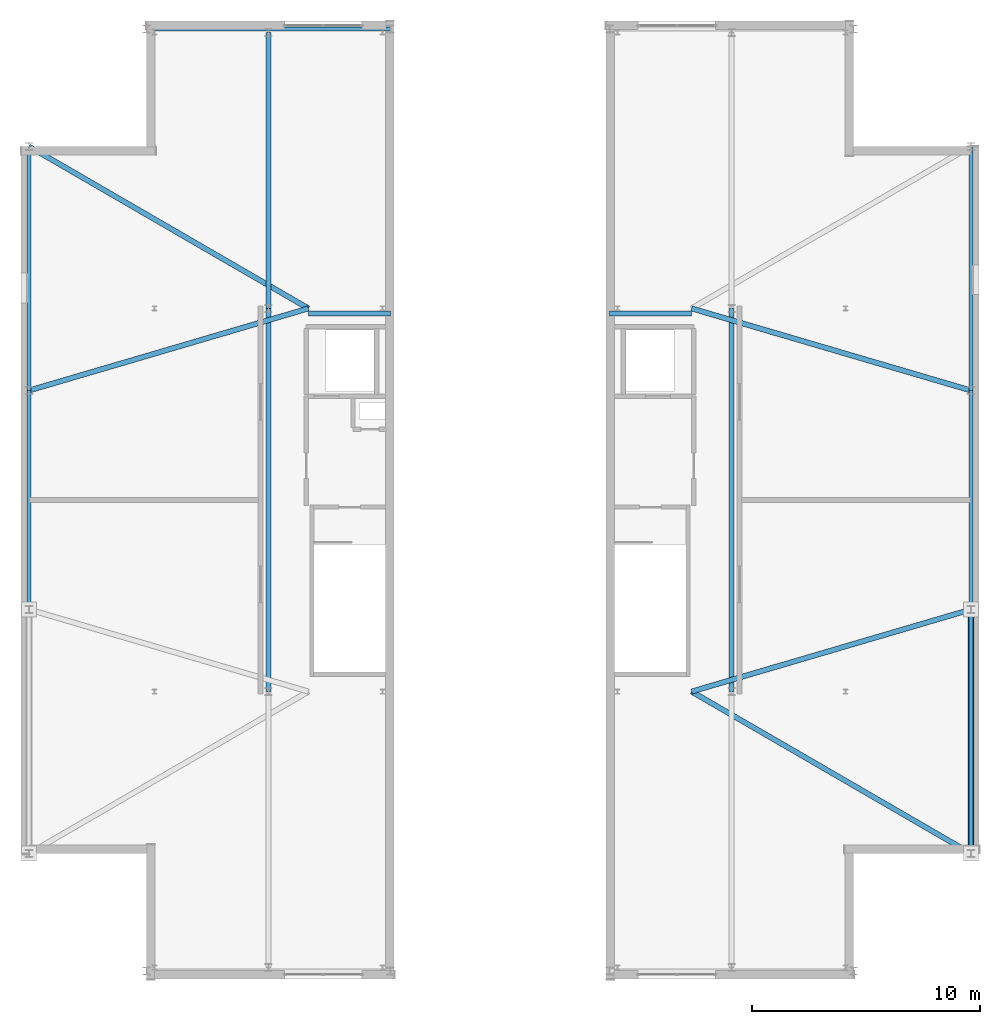
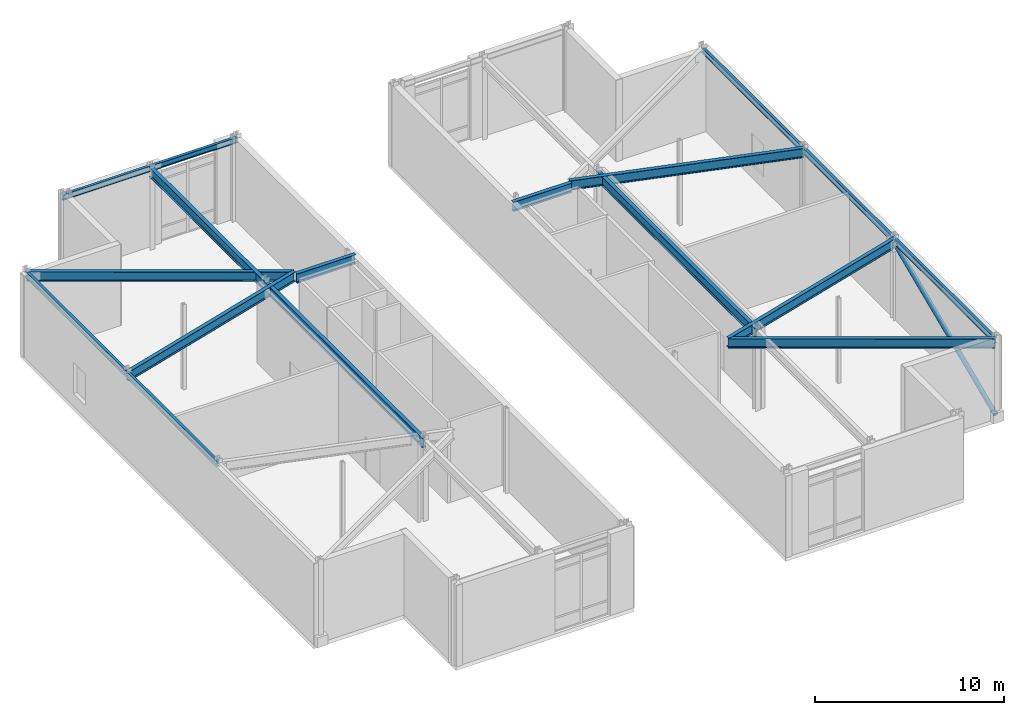
# One storey, part 9 of 14: 16 beams, 1 member.
"""IFC4 building model written with IfcOpenShell, lengths in metres."""

import ifcopenshell
import ifcopenshell.guid

model = None  # the IFC model being written
_history = None  # IfcOwnerHistory: only IFC2X3 demands one
_inside = {}  # id of a spatial element -> (the spatial element, [elements in it])
_under = {}  # id of a project, library or spatial element -> (it, [spatial elements below it])
_declared = {}  # id of a project -> (the project, [libraries it declares])
_typed = {}  # id of a type object -> (the type object, [elements of that type])
_made_of = {}  # id of a material, layer set ... -> (it, [elements and type objects made of it])


def new_model(schema):
    """Start an empty IFC model of exactly this schema.

    Asked for "IFC4X3", IfcOpenShell would pick the latest addendum, in which some entities
    have other attributes; the version numbers below select the first issue.
    IFC2X3 requires an IfcOwnerHistory on every rooted entity: one is made here for all.
    """
    global model, _history
    if schema == "IFC4X3":
        model = ifcopenshell.file(schema_version=(4, 3, 0, 0))
    else:
        model = ifcopenshell.file(schema=schema)
    _inside.clear()
    _under.clear()
    _declared.clear()
    _typed.clear()
    _made_of.clear()
    _history = None
    if model.schema == "IFC2X3":
        org = make("IfcOrganization", Name="unknown")
        user = make(
            "IfcPersonAndOrganization",
            ThePerson=make("IfcPerson", FamilyName="unknown"),
            TheOrganization=org,
        )
        app = make(
            "IfcApplication",
            ApplicationDeveloper=org,
            Version="unknown",
            ApplicationFullName="unknown",
            ApplicationIdentifier="unknown",
        )
        _history = make(
            "IfcOwnerHistory",
            OwningUser=user,
            OwningApplication=app,
            ChangeAction="ADDED",
            CreationDate=0,
        )
    return model


def make(cls, **values):
    """One entity of the class cls with the attributes given. An attribute that is None is left unset."""
    return model.create_entity(
        cls, **{name: value for name, value in values.items() if value is not None}
    )


def rooted(cls, **values):
    """An entity with a GlobalId (a new one), such as an element, a storey or a relation."""
    return make(cls, GlobalId=ifcopenshell.guid.new(), OwnerHistory=_history, **values)


def si_unit(unit_type, name, prefix=None):
    """IfcSIUnit, for example si_unit("LENGTHUNIT", "METRE", prefix="MILLI")."""
    return make("IfcSIUnit", UnitType=unit_type, Prefix=prefix, Name=name)


def assignment(units):
    """IfcUnitAssignment: the units of a project."""
    return None if units is None else make("IfcUnitAssignment", Units=units)


def point(xyz):
    """IfcCartesianPoint."""
    return None if xyz is None else make("IfcCartesianPoint", Coordinates=xyz)


def direction(xyz):
    """IfcDirection."""
    return None if xyz is None else make("IfcDirection", DirectionRatios=xyz)


def frame(location, z_axis=None, x_axis=None):
    """IfcAxis2Placement3D, a coordinate frame: its origin and axes. An axis left out is left unset."""
    return make(
        "IfcAxis2Placement3D",
        Location=point(location),
        Axis=direction(z_axis),
        RefDirection=direction(x_axis),
    )


def frame_2d(location, x_axis=None):
    """IfcAxis2Placement2D, a coordinate frame in the plane: its origin and x axis."""
    return make(
        "IfcAxis2Placement2D", Location=point(location), RefDirection=direction(x_axis)
    )


def origin():
    """The frame at (0, 0, 0) with its axes left unset."""
    return frame((0.0, 0.0, 0.0))


def origin_2d():
    """The frame at (0, 0) in the plane with its x axis left unset."""
    return frame_2d((0.0, 0.0))


def place(relative_to, where):
    """IfcLocalPlacement: puts the frame where relative to a parent placement (None: the world)."""
    return make(
        "IfcLocalPlacement", PlacementRelTo=relative_to, RelativePlacement=where
    )


def context(
    kind, dimensions, precision=None, world=None, true_north=None, identifier=None
):
    """IfcGeometricRepresentationContext, for example the 3D "Model" context."""
    return make(
        "IfcGeometricRepresentationContext",
        ContextIdentifier=identifier,
        ContextType=kind,
        CoordinateSpaceDimension=dimensions,
        Precision=precision,
        WorldCoordinateSystem=world,
        TrueNorth=true_north,
    )


def subcontext(parent, identifier, kind, view, scale=None):
    """IfcGeometricRepresentationSubContext, for example "Body" below "Model"."""
    return make(
        "IfcGeometricRepresentationSubContext",
        ContextIdentifier=identifier,
        ContextType=kind,
        ParentContext=parent,
        TargetScale=scale,
        TargetView=view,
    )


def project(units=None, contexts=None):
    """IfcProject with its units and contexts."""
    return rooted(
        "IfcProject",
        Name="project",
        RepresentationContexts=contexts,
        UnitsInContext=assignment(units),
    )


def spatial(cls, under=None, at=None, **own):
    """A site, building, storey or space (cls), placed at a placement, below another one or the project."""
    s = rooted(cls, ObjectPlacement=at, **own)
    if under is not None:
        _under.setdefault(under.id(), (under, []))[1].append(s)
    return s


def profile(cls, at=None, kind="AREA", **sizes):
    """A parametric profile (cls). Its sizes go by their IFC names, for example OverallWidth=200.0."""
    return make(cls, ProfileType=kind, Position=at, **sizes)


def hollow_circle(**sizes):
    """IfcCircleHollowProfileDef."""
    return profile("IfcCircleHollowProfileDef", **sizes)


def i_section(**sizes):
    """IfcIShapeProfileDef."""
    return profile("IfcIShapeProfileDef", **sizes)


def extrude(swept, where, along, depth):
    """IfcExtrudedAreaSolid: the profile swept, set in the frame where, extruded along a direction by depth."""
    return make(
        "IfcExtrudedAreaSolid",
        SweptArea=swept,
        Position=where,
        ExtrudedDirection=direction(along),
        Depth=depth,
    )


def shape(context_of_items, identifier, shape_type, items):
    """IfcShapeRepresentation: the items that make up one representation, for example the "Body"."""
    return make(
        "IfcShapeRepresentation",
        ContextOfItems=context_of_items,
        RepresentationIdentifier=identifier,
        RepresentationType=shape_type,
        Items=items,
    )


def material(Name=None, Category=None):
    """IfcMaterial."""
    return make("IfcMaterial", Name=Name, Category=Category)


def material_profile(
    of_material, cross_section, Name=None, Category=None, Priority=None
):
    """IfcMaterialProfile: a cross section and its material."""
    return make(
        "IfcMaterialProfile",
        Name=Name,
        Material=of_material,
        Profile=cross_section,
        Priority=Priority,
        Category=Category,
    )


def profile_set(profiles, Name=None, composite=None):
    """IfcMaterialProfileSet."""
    return make(
        "IfcMaterialProfileSet",
        Name=Name,
        MaterialProfiles=profiles,
        CompositeProfile=composite,
    )


def made_of(thing, what):
    """Note that an element or type object is made of a material, layer set ...; save() writes the relation."""
    if what is not None:
        _made_of.setdefault(what.id(), (what, []))[1].append(thing)
    return thing


def type_object(cls, material=None, **own):
    """A type object (cls), such as IfcWallType, which elements share."""
    return made_of(rooted(cls, **own), material)


def element(
    cls,
    number,
    at=None,
    inside=None,
    cuts=None,
    type_object=None,
    material=None,
    context=None,
    identifier="Body",
    shape_type=None,
    held_by="IfcProductDefinitionShape",
    body=None,
    shapes=None,
    **own,
):
    """One element of the class cls, such as IfcWall. Its Tag is "e" and its number.

    at: its placement. inside: the storey or other place that contains it. cuts: it is an
    opening in that element (IfcRelVoidsElement). A single representation is given by context,
    identifier, shape_type and body (its items); several are given by shapes. held_by: the class
    of the entity that holds the representations. save() writes the other relations.
    """
    e = rooted(cls, Tag="e%d" % number, ObjectPlacement=at, **own)
    if body is not None:
        shapes = [shape(context, identifier, shape_type, body)]
    if shapes is not None:
        e.Representation = make(held_by, Representations=shapes)
    if inside is not None:
        _inside.setdefault(inside.id(), (inside, []))[1].append(e)
    if cuts is not None:
        rooted(
            "IfcRelVoidsElement", RelatingBuildingElement=cuts, RelatedOpeningElement=e
        )
    if type_object is not None:
        _typed.setdefault(type_object.id(), (type_object, []))[1].append(e)
    return made_of(e, material)


def aggregate(whole, parts):
    """IfcRelAggregates: a whole, such as a stair, and the parts it consists of."""
    return rooted("IfcRelAggregates", RelatingObject=whole, RelatedObjects=parts)


def save(model, path):
    """Write the relations noted so far, then the file.

    IfcRelAggregates (storeys below a building ...), IfcRelContainedInSpatialStructure (elements
    in a storey), IfcRelDefinesByType, IfcRelAssociatesMaterial and IfcRelDeclares: one each for
    every whole, place, type object, material and project.
    """
    for whole, parts in _under.values():
        aggregate(whole, parts)
    for where, things in _inside.values():
        rooted(
            "IfcRelContainedInSpatialStructure",
            RelatedElements=things,
            RelatingStructure=where,
        )
    for kind, things in _typed.values():
        rooted("IfcRelDefinesByType", RelatedObjects=things, RelatingType=kind)
    for what, things in _made_of.values():
        rooted("IfcRelAssociatesMaterial", RelatedObjects=things, RelatingMaterial=what)
    for by, libraries in _declared.values():
        rooted("IfcRelDeclares", RelatingContext=by, RelatedDefinitions=libraries)
    model.write(path)


model = new_model("IFC4")

# Units and contexts
model_context = context("Model", 3, precision=1e-05, world=origin(), true_north=direction((0.0, 1.0)))
body_context = subcontext(model_context, "Body", "Model", "MODEL_VIEW")
ifc_project = project(units=[si_unit("LENGTHUNIT", "METRE"), si_unit("AREAUNIT", "SQUARE_METRE"), si_unit("VOLUMEUNIT", "CUBIC_METRE"), si_unit("PLANEANGLEUNIT", "RADIAN"), si_unit("MASSUNIT", "GRAM", prefix="KILO")], contexts=[model_context])

# Site, building, storey
site_placement = place(None, origin())
site = spatial("IfcSite", under=ifc_project, at=site_placement, CompositionType="ELEMENT")
building_placement = place(site_placement, origin())
building = spatial("IfcBuilding", under=site, at=building_placement, Name="Cairnveth Concourse Tower", CompositionType="ELEMENT")
storey_placement = place(building_placement, frame((0.0, 0.0, 330.0)))
storey = spatial("IfcBuildingStorey", under=building, at=storey_placement, Name="L90", CompositionType="ELEMENT", Elevation=330.0)

# Beams
ifc_material_1 = material(Name="Steel Grade 350", Category="steel")
ifc_material_profile_1 = material_profile(ifc_material_1, i_section(OverallWidth=0.22802734375, OverallDepth=0.60693359375, WebThickness=0.01123046875, FlangeThickness=0.017333984375, FilletRadius=0.013916015625, at=origin_2d()), Name="610UB113")
ifc_profile_set_1 = profile_set([ifc_material_profile_1], Name="Steel Grade 350")
beam_type_1 = type_object("IfcBeamType", Name="CORE TIE BEAM 610UB113", PredefinedType="T_BEAM", material=ifc_profile_set_1)
for number, where, z_axis, x_axis, name in (
    (1, (43.60009765625, 47.179931640625, 4.946533203125), (1.0, 0.0, 0.0), (0.0, 1.0, 0.0), "Beam CT-N1 L90"),
    (2, (56.800048828125, 47.179931640625, 4.946533203125), (1.0, 0.0, 0.0), (0.0, 1.0, 0.0), "Beam CT-N3 L90"),
):
    element("IfcBeam", number, at=place(storey_placement, frame(where, z_axis=z_axis, x_axis=x_axis)), inside=storey, type_object=beam_type_1, Name=name, PredefinedType="T_BEAM", context=body_context, shape_type="SweptSolid", body=[
        extrude(i_section(OverallWidth=0.22802734375, OverallDepth=0.60693359375, WebThickness=0.01123046875, FlangeThickness=0.017333984375, FilletRadius=0.013916015625, at=origin_2d()), origin(), (0.0, 0.0, 1.0), 3.599853515625),
    ])

# Member
ifc_material_2 = material(Name="Steel C350L0 (350 MPa)", Category="steel")
ifc_material_profile_2 = material_profile(ifc_material_2, hollow_circle(Radius=0.136474609375, WallThickness=0.0126953125, at=origin_2d()), Name="273.1x12.7CHS")
ifc_profile_set_2 = profile_set([ifc_material_profile_2], Name="Steel C350L0 (350 MPa)")
member_type = type_object("IfcMemberType", Name="CROWN PORTAL STRUT 273.1X12.7CHS", PredefinedType="STRUT", material=ifc_profile_set_2)
member_placement = place(storey_placement, frame((72.64990234375, 23.5, 0.300048828125), z_axis=(0.0, 0.918704252821, 0.394946193611), x_axis=(-1.0, 0.0, 0.0)))
element("IfcMember", 3, at=member_placement, inside=storey, type_object=member_type, Name="Structural Brace CSR-E1 L90", PredefinedType="STRUT", context=body_context, shape_type="SweptSolid", body=[
    extrude(hollow_circle(Radius=0.136474609375, WallThickness=0.0126953125, at=origin_2d()), origin(), (0.0, 0.0, 1.0), 11.646728515625),
])

# Beams
ifc_material_profile_3 = material_profile(ifc_material_1, i_section(OverallWidth=0.22900390625, OverallDepth=0.612060546875, WebThickness=0.011962890625, FlangeThickness=0.01953125, FilletRadius=0.013916015625, at=origin_2d()), Name="610UB125")
ifc_profile_set_3 = profile_set([ifc_material_profile_3], Name="Steel Grade 350")
beam_type_2 = type_object("IfcBeamType", Name="ZONE 4 RADIAL GIRDER 610UB125", PredefinedType="BEAM", material=ifc_profile_set_3)
beam_1_placement = place(storey_placement, frame((31.35009765625, 43.800048828125, 4.944091796875), z_axis=(0.959430938842, 0.281943741893, 0.0), x_axis=(-0.281943741893, 0.959430938842, 0.0)))
element("IfcBeam", 4, at=beam_1_placement, inside=storey, type_object=beam_type_2, Name="Beam CB-W3 L90", PredefinedType="BEAM", context=body_context, shape_type="SweptSolid", body=[
    extrude(i_section(OverallWidth=0.22900390625, OverallDepth=0.612060546875, WebThickness=0.011962890625, FlangeThickness=0.01953125, FilletRadius=0.013916015625, at=origin_2d()), origin(), (0.0, 0.0, 1.0), 12.76806640625),
])
beam_2_placement = place(storey_placement, frame((31.35009765625, 54.5, 4.944091796875), z_axis=(0.86518141842, -0.501458984584, 0.0), x_axis=(0.501458984584, 0.86518141842, 0.0)))
element("IfcBeam", 5, at=beam_2_placement, inside=storey, type_object=beam_type_2, Name="Beam CB-W4 L90", PredefinedType="BEAM", context=body_context, shape_type="SweptSolid", body=[
    extrude(i_section(OverallWidth=0.22900390625, OverallDepth=0.612060546875, WebThickness=0.011962890625, FlangeThickness=0.01953125, FilletRadius=0.013916015625, at=origin_2d()), origin(), (0.0, 0.0, 1.0), 14.158935546875),
])
beam_3_placement = place(storey_placement, frame((41.85009765625, 30.60009765625, 4.944091796875), z_axis=(0.0, 1.0, 0.0), x_axis=(-1.0, 0.0, 0.0)))
element("IfcBeam", 6, at=beam_3_placement, inside=storey, type_object=beam_type_2, Name="Beam CB-WM2 L90", PredefinedType="BEAM", context=body_context, shape_type="SweptSolid", body=[
    extrude(i_section(OverallWidth=0.22900390625, OverallDepth=0.612060546875, WebThickness=0.011962890625, FlangeThickness=0.01953125, FilletRadius=0.013916015625, at=origin_2d()), origin(), (0.0, 0.0, 1.0), 16.7998046875),
])
beam_4_placement = place(storey_placement, frame((41.85009765625, 47.39990234375, 4.944091796875), z_axis=(0.0, 1.0, 0.0), x_axis=(-1.0, 0.0, 0.0)))
element("IfcBeam", 7, at=beam_4_placement, inside=storey, type_object=beam_type_2, Name="Beam CB-WM3 L90", PredefinedType="BEAM", context=body_context, shape_type="SweptSolid", body=[
    extrude(i_section(OverallWidth=0.22900390625, OverallDepth=0.612060546875, WebThickness=0.011962890625, FlangeThickness=0.01953125, FilletRadius=0.013916015625, at=origin_2d()), origin(), (0.0, 0.0, 1.0), 12.10009765625),
])
beam_5_placement = place(storey_placement, frame((60.39990234375, 30.60009765625, 4.944091796875), z_axis=(0.86518141842, -0.501458984584, 0.0), x_axis=(0.501458984584, 0.86518141842, 0.0)))
element("IfcBeam", 8, at=beam_5_placement, inside=storey, type_object=beam_type_2, Name="Beam CB-E1 L90", PredefinedType="BEAM", context=body_context, shape_type="SweptSolid", body=[
    extrude(i_section(OverallWidth=0.22900390625, OverallDepth=0.612060546875, WebThickness=0.011962890625, FlangeThickness=0.01953125, FilletRadius=0.013916015625, at=origin_2d()), origin(), (0.0, 0.0, 1.0), 14.158935546875),
])
for number, where, z_axis, x_axis, name in (
    (9, (60.39990234375, 30.60009765625, 4.944091796875), (0.959430938842, 0.281943741893, 0.0), (-0.281943741893, 0.959430938842, 0.0), "Beam CB-E2 L90"),
    (10, (60.39990234375, 47.39990234375, 4.944091796875), (0.959430938842, -0.281943741893, 0.0), (0.281943741893, 0.959430938842, 0.0), "Beam CB-E3 L90"),
):
    element("IfcBeam", number, at=place(storey_placement, frame(where, z_axis=z_axis, x_axis=x_axis)), inside=storey, type_object=beam_type_2, Name=name, PredefinedType="BEAM", context=body_context, shape_type="SweptSolid", body=[
        extrude(i_section(OverallWidth=0.22900390625, OverallDepth=0.612060546875, WebThickness=0.011962890625, FlangeThickness=0.01953125, FilletRadius=0.013916015625, at=origin_2d()), origin(), (0.0, 0.0, 1.0), 12.76806640625),
    ])
beam_6_placement = place(storey_placement, frame((62.14990234375, 30.60009765625, 4.944091796875), z_axis=(0.0, 1.0, 0.0), x_axis=(-1.0, 0.0, 0.0)))
element("IfcBeam", 11, at=beam_6_placement, inside=storey, type_object=beam_type_2, Name="Beam CB-EM2 L90", PredefinedType="BEAM", context=body_context, shape_type="SweptSolid", body=[
    extrude(i_section(OverallWidth=0.22900390625, OverallDepth=0.612060546875, WebThickness=0.011962890625, FlangeThickness=0.01953125, FilletRadius=0.013916015625, at=origin_2d()), origin(), (0.0, 0.0, 1.0), 16.7998046875),
])
ifc_material_profile_4 = material_profile(ifc_material_1, i_section(OverallWidth=0.172119140625, OverallDepth=0.35888671875, WebThickness=0.008056640625, FlangeThickness=0.012939453125, FilletRadius=0.010986328125, at=origin_2d()), Name="360UB56.7")
ifc_profile_set_4 = profile_set([ifc_material_profile_4], Name="Steel Grade 350")
beam_type_3 = type_object("IfcBeamType", Name="ZONE 4 SPANDREL BEAM 360UB56.7", PredefinedType="SPANDREL", material=ifc_profile_set_4)
beam_7_placement = place(storey_placement, frame((36.5, 59.64990234375, 5.070556640625), z_axis=(1.0, 0.0, 0.0), x_axis=(0.0, 1.0, 0.0)))
element("IfcBeam", 12, at=beam_7_placement, inside=storey, type_object=beam_type_3, Name="Beam CSP-WN L90", PredefinedType="SPANDREL", context=body_context, shape_type="SweptSolid", body=[
    extrude(i_section(OverallWidth=0.172119140625, OverallDepth=0.35888671875, WebThickness=0.008056640625, FlangeThickness=0.012939453125, FilletRadius=0.010986328125, at=origin_2d()), origin(), (0.0, 0.0, 1.0), 10.699951171875),
])
beam_8_placement = place(storey_placement, frame((31.35009765625, 34.199951171875, 5.070556640625), z_axis=(0.0, 1.0, 0.0), x_axis=(-1.0, 0.0, 0.0)))
element("IfcBeam", 13, at=beam_8_placement, inside=storey, type_object=beam_type_3, Name="Beam CSP-WW2 L90", PredefinedType="SPANDREL", context=body_context, shape_type="SweptSolid", body=[
    extrude(i_section(OverallWidth=0.172119140625, OverallDepth=0.35888671875, WebThickness=0.008056640625, FlangeThickness=0.012939453125, FilletRadius=0.010986328125, at=origin_2d()), origin(), (0.0, 0.0, 1.0), 9.60009765625),
])
for number, where, z_axis, x_axis, name in (
    (14, (31.35009765625, 43.800048828125, 5.070556640625), (0.0, 1.0, 0.0), (-1.0, 0.0, 0.0), "Beam CSP-WW3 L90"),
    (15, (72.64990234375, 23.5, 5.070556640625), (0.0, 1.0, 0.0), (-1.0, 0.0, 0.0), "Beam CSP-EE1 L90"),
):
    element("IfcBeam", number, at=place(storey_placement, frame(where, z_axis=z_axis, x_axis=x_axis)), inside=storey, type_object=beam_type_3, Name=name, PredefinedType="SPANDREL", context=body_context, shape_type="SweptSolid", body=[
        extrude(i_section(OverallWidth=0.172119140625, OverallDepth=0.35888671875, WebThickness=0.008056640625, FlangeThickness=0.012939453125, FilletRadius=0.010986328125, at=origin_2d()), origin(), (0.0, 0.0, 1.0), 10.699951171875),
    ])
beam_9_placement = place(storey_placement, frame((72.64990234375, 34.199951171875, 5.070556640625), z_axis=(0.0, 1.0, 0.0), x_axis=(-1.0, 0.0, 0.0)))
element("IfcBeam", 16, at=beam_9_placement, inside=storey, type_object=beam_type_3, Name="Beam CSP-EE2 L90", PredefinedType="SPANDREL", context=body_context, shape_type="SweptSolid", body=[
    extrude(i_section(OverallWidth=0.172119140625, OverallDepth=0.35888671875, WebThickness=0.008056640625, FlangeThickness=0.012939453125, FilletRadius=0.010986328125, at=origin_2d()), origin(), (0.0, 0.0, 1.0), 9.60009765625),
])
beam_10_placement = place(storey_placement, frame((72.64990234375, 43.800048828125, 5.070556640625), z_axis=(0.0, 1.0, 0.0), x_axis=(-1.0, 0.0, 0.0)))
element("IfcBeam", 17, at=beam_10_placement, inside=storey, type_object=beam_type_3, Name="Beam CSP-EE3 L90", PredefinedType="SPANDREL", context=body_context, shape_type="SweptSolid", body=[
    extrude(i_section(OverallWidth=0.172119140625, OverallDepth=0.35888671875, WebThickness=0.008056640625, FlangeThickness=0.012939453125, FilletRadius=0.010986328125, at=origin_2d()), origin(), (0.0, 0.0, 1.0), 10.699951171875),
])

save(model, "model.ifc")
